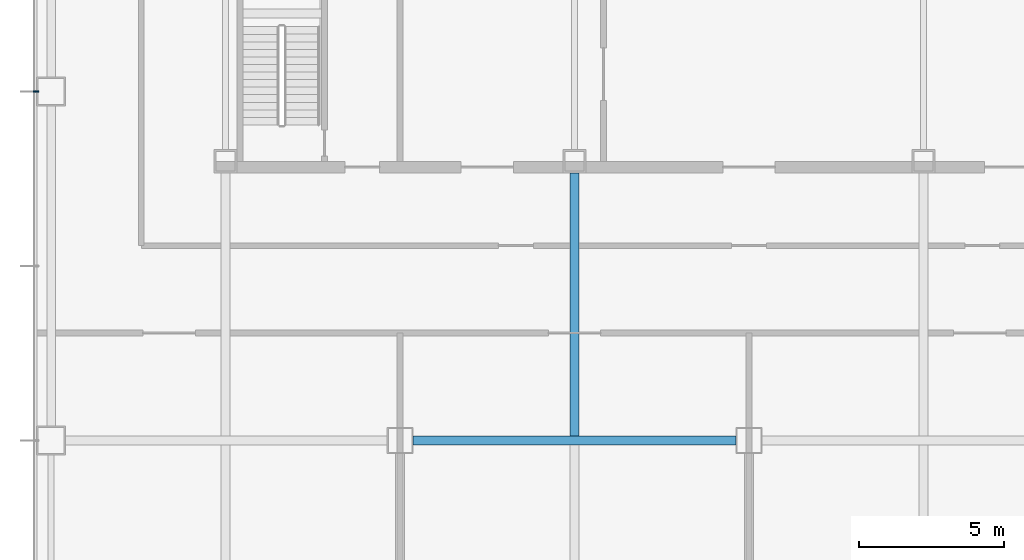
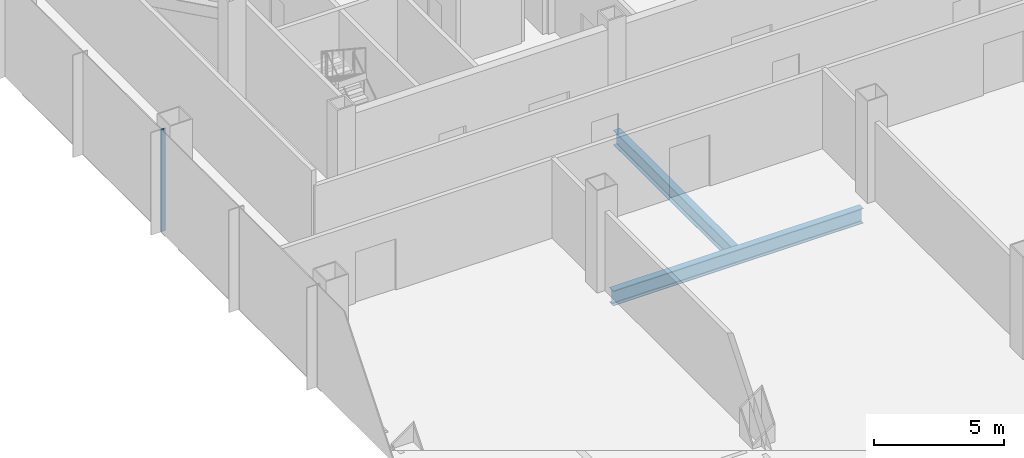
# One storey, part 6 of 33: 2 beams, 1 member, 1 element without a shape of its own.
"""IFC4 building model written with IfcOpenShell, lengths in metres."""

import ifcopenshell
import ifcopenshell.guid

model = None  # the IFC model being written
_history = None  # IfcOwnerHistory: only IFC2X3 demands one
_inside = {}  # id of a spatial element -> (the spatial element, [elements in it])
_under = {}  # id of a project, library or spatial element -> (it, [spatial elements below it])
_declared = {}  # id of a project -> (the project, [libraries it declares])
_typed = {}  # id of a type object -> (the type object, [elements of that type])
_made_of = {}  # id of a material, layer set ... -> (it, [elements and type objects made of it])


def new_model(schema):
    """Start an empty IFC model of exactly this schema.

    Asked for "IFC4X3", IfcOpenShell would pick the latest addendum, in which some entities
    have other attributes; the version numbers below select the first issue.
    IFC2X3 requires an IfcOwnerHistory on every rooted entity: one is made here for all.
    """
    global model, _history
    if schema == "IFC4X3":
        model = ifcopenshell.file(schema_version=(4, 3, 0, 0))
    else:
        model = ifcopenshell.file(schema=schema)
    _inside.clear()
    _under.clear()
    _declared.clear()
    _typed.clear()
    _made_of.clear()
    _history = None
    if model.schema == "IFC2X3":
        org = make("IfcOrganization", Name="unknown")
        user = make(
            "IfcPersonAndOrganization",
            ThePerson=make("IfcPerson", FamilyName="unknown"),
            TheOrganization=org,
        )
        app = make(
            "IfcApplication",
            ApplicationDeveloper=org,
            Version="unknown",
            ApplicationFullName="unknown",
            ApplicationIdentifier="unknown",
        )
        _history = make(
            "IfcOwnerHistory",
            OwningUser=user,
            OwningApplication=app,
            ChangeAction="ADDED",
            CreationDate=0,
        )
    return model


def make(cls, **values):
    """One entity of the class cls with the attributes given. An attribute that is None is left unset."""
    return model.create_entity(
        cls, **{name: value for name, value in values.items() if value is not None}
    )


def rooted(cls, **values):
    """An entity with a GlobalId (a new one), such as an element, a storey or a relation."""
    return make(cls, GlobalId=ifcopenshell.guid.new(), OwnerHistory=_history, **values)


def si_unit(unit_type, name, prefix=None):
    """IfcSIUnit, for example si_unit("LENGTHUNIT", "METRE", prefix="MILLI")."""
    return make("IfcSIUnit", UnitType=unit_type, Prefix=prefix, Name=name)


def assignment(units):
    """IfcUnitAssignment: the units of a project."""
    return None if units is None else make("IfcUnitAssignment", Units=units)


def point(xyz):
    """IfcCartesianPoint."""
    return None if xyz is None else make("IfcCartesianPoint", Coordinates=xyz)


def direction(xyz):
    """IfcDirection."""
    return None if xyz is None else make("IfcDirection", DirectionRatios=xyz)


def frame(location, z_axis=None, x_axis=None):
    """IfcAxis2Placement3D, a coordinate frame: its origin and axes. An axis left out is left unset."""
    return make(
        "IfcAxis2Placement3D",
        Location=point(location),
        Axis=direction(z_axis),
        RefDirection=direction(x_axis),
    )


def frame_2d(location, x_axis=None):
    """IfcAxis2Placement2D, a coordinate frame in the plane: its origin and x axis."""
    return make(
        "IfcAxis2Placement2D", Location=point(location), RefDirection=direction(x_axis)
    )


def origin():
    """The frame at (0, 0, 0) with its axes left unset."""
    return frame((0.0, 0.0, 0.0))


def origin_2d():
    """The frame at (0, 0) in the plane with its x axis left unset."""
    return frame_2d((0.0, 0.0))


def place(relative_to, where):
    """IfcLocalPlacement: puts the frame where relative to a parent placement (None: the world)."""
    return make(
        "IfcLocalPlacement", PlacementRelTo=relative_to, RelativePlacement=where
    )


def context(
    kind, dimensions, precision=None, world=None, true_north=None, identifier=None
):
    """IfcGeometricRepresentationContext, for example the 3D "Model" context."""
    return make(
        "IfcGeometricRepresentationContext",
        ContextIdentifier=identifier,
        ContextType=kind,
        CoordinateSpaceDimension=dimensions,
        Precision=precision,
        WorldCoordinateSystem=world,
        TrueNorth=true_north,
    )


def subcontext(parent, identifier, kind, view, scale=None):
    """IfcGeometricRepresentationSubContext, for example "Body" below "Model"."""
    return make(
        "IfcGeometricRepresentationSubContext",
        ContextIdentifier=identifier,
        ContextType=kind,
        ParentContext=parent,
        TargetScale=scale,
        TargetView=view,
    )


def project(units=None, contexts=None):
    """IfcProject with its units and contexts."""
    return rooted(
        "IfcProject",
        Name="project",
        RepresentationContexts=contexts,
        UnitsInContext=assignment(units),
    )


def spatial(cls, under=None, at=None, **own):
    """A site, building, storey or space (cls), placed at a placement, below another one or the project."""
    s = rooted(cls, ObjectPlacement=at, **own)
    if under is not None:
        _under.setdefault(under.id(), (under, []))[1].append(s)
    return s


def profile(cls, at=None, kind="AREA", **sizes):
    """A parametric profile (cls). Its sizes go by their IFC names, for example OverallWidth=200.0."""
    return make(cls, ProfileType=kind, Position=at, **sizes)


def rectangle(**sizes):
    """IfcRectangleProfileDef."""
    return profile("IfcRectangleProfileDef", **sizes)


def i_section(**sizes):
    """IfcIShapeProfileDef."""
    return profile("IfcIShapeProfileDef", **sizes)


def extrude(swept, where, along, depth):
    """IfcExtrudedAreaSolid: the profile swept, set in the frame where, extruded along a direction by depth."""
    return make(
        "IfcExtrudedAreaSolid",
        SweptArea=swept,
        Position=where,
        ExtrudedDirection=direction(along),
        Depth=depth,
    )


def shape(context_of_items, identifier, shape_type, items):
    """IfcShapeRepresentation: the items that make up one representation, for example the "Body"."""
    return make(
        "IfcShapeRepresentation",
        ContextOfItems=context_of_items,
        RepresentationIdentifier=identifier,
        RepresentationType=shape_type,
        Items=items,
    )


def material(Name=None, Category=None):
    """IfcMaterial."""
    return make("IfcMaterial", Name=Name, Category=Category)


def material_profile(
    of_material, cross_section, Name=None, Category=None, Priority=None
):
    """IfcMaterialProfile: a cross section and its material."""
    return make(
        "IfcMaterialProfile",
        Name=Name,
        Material=of_material,
        Profile=cross_section,
        Priority=Priority,
        Category=Category,
    )


def profile_set(profiles, Name=None, composite=None):
    """IfcMaterialProfileSet."""
    return make(
        "IfcMaterialProfileSet",
        Name=Name,
        MaterialProfiles=profiles,
        CompositeProfile=composite,
    )


def made_of(thing, what):
    """Note that an element or type object is made of a material, layer set ...; save() writes the relation."""
    if what is not None:
        _made_of.setdefault(what.id(), (what, []))[1].append(thing)
    return thing


def type_object(cls, material=None, **own):
    """A type object (cls), such as IfcWallType, which elements share."""
    return made_of(rooted(cls, **own), material)


def element(
    cls,
    number,
    at=None,
    inside=None,
    cuts=None,
    type_object=None,
    material=None,
    context=None,
    identifier="Body",
    shape_type=None,
    held_by="IfcProductDefinitionShape",
    body=None,
    shapes=None,
    **own,
):
    """One element of the class cls, such as IfcWall. Its Tag is "e" and its number.

    at: its placement. inside: the storey or other place that contains it. cuts: it is an
    opening in that element (IfcRelVoidsElement). A single representation is given by context,
    identifier, shape_type and body (its items); several are given by shapes. held_by: the class
    of the entity that holds the representations. save() writes the other relations.
    """
    e = rooted(cls, Tag="e%d" % number, ObjectPlacement=at, **own)
    if body is not None:
        shapes = [shape(context, identifier, shape_type, body)]
    if shapes is not None:
        e.Representation = make(held_by, Representations=shapes)
    if inside is not None:
        _inside.setdefault(inside.id(), (inside, []))[1].append(e)
    if cuts is not None:
        rooted(
            "IfcRelVoidsElement", RelatingBuildingElement=cuts, RelatedOpeningElement=e
        )
    if type_object is not None:
        _typed.setdefault(type_object.id(), (type_object, []))[1].append(e)
    return made_of(e, material)


def aggregate(whole, parts):
    """IfcRelAggregates: a whole, such as a stair, and the parts it consists of."""
    return rooted("IfcRelAggregates", RelatingObject=whole, RelatedObjects=parts)


def save(model, path):
    """Write the relations noted so far, then the file.

    IfcRelAggregates (storeys below a building ...), IfcRelContainedInSpatialStructure (elements
    in a storey), IfcRelDefinesByType, IfcRelAssociatesMaterial and IfcRelDeclares: one each for
    every whole, place, type object, material and project.
    """
    for whole, parts in _under.values():
        aggregate(whole, parts)
    for where, things in _inside.values():
        rooted(
            "IfcRelContainedInSpatialStructure",
            RelatedElements=things,
            RelatingStructure=where,
        )
    for kind, things in _typed.values():
        rooted("IfcRelDefinesByType", RelatedObjects=things, RelatingType=kind)
    for what, things in _made_of.values():
        rooted("IfcRelAssociatesMaterial", RelatedObjects=things, RelatingMaterial=what)
    for by, libraries in _declared.values():
        rooted("IfcRelDeclares", RelatingContext=by, RelatedDefinitions=libraries)
    model.write(path)


model = new_model("IFC4")

# Units and contexts
model_context = context("Model", 3, precision=1e-05, world=origin(), true_north=direction((0.0, 1.0)))
body_context = subcontext(model_context, "Body", "Model", "MODEL_VIEW")
ifc_project = project(units=[si_unit("LENGTHUNIT", "METRE"), si_unit("AREAUNIT", "SQUARE_METRE"), si_unit("VOLUMEUNIT", "CUBIC_METRE"), si_unit("PLANEANGLEUNIT", "RADIAN"), si_unit("MASSUNIT", "GRAM", prefix="KILO")], contexts=[model_context])

# Site, building, storey
site_placement = place(None, origin())
site = spatial("IfcSite", under=ifc_project, at=site_placement, CompositionType="ELEMENT")
building_placement = place(site_placement, origin())
building = spatial("IfcBuilding", under=site, at=building_placement, Name="Sorahane Residences", CompositionType="ELEMENT")
storey_placement = place(building_placement, frame((0.0, 0.0, 25.199951171875)))
storey = spatial("IfcBuildingStorey", under=building, at=storey_placement, Name="L03", CompositionType="ELEMENT", Elevation=25.199951171875)

# Curtain wall, member
ifc_material_1 = material(Name="Dark low-e glass and black anodised aluminium", Category="aluminium")
curtain_wall_type = type_object("IfcCurtainWallType", Name="Curtain wall CW-3 Podium unitised wall", PredefinedType="NOTDEFINED", material=ifc_material_1)
curtain_wall_placement = place(storey_placement, origin())
curtain_wall = element("IfcCurtainWall", 1, at=curtain_wall_placement, inside=storey, type_object=curtain_wall_type, Name="CW-3 curtain wall L03 W1", PredefinedType="NOTDEFINED")
ifc_material_2 = material(Name="Black anodised aluminium", Category="aluminium")
ifc_material_profile_1 = material_profile(ifc_material_2, rectangle(XDim=0.199951171875, YDim=0.050048828125, at=origin_2d()), Name="Curtain wall mullion CW-3 black anodised aluminium 50x200")
ifc_profile_set_1 = profile_set([ifc_material_profile_1], Name="Black anodised aluminium")
member_type = type_object("IfcMemberType", Name="Curtain wall mullion CW-3 black anodised aluminium 50x200", PredefinedType="MULLION", material=ifc_profile_set_1)
member_placement = place(storey_placement, frame((-0.52001953125, 24.0, -0.39990234375), z_axis=(0.0, 0.0, 1.0), x_axis=(-1.0, 0.0, 0.0)))
member = element("IfcMember", 2, at=member_placement, type_object=member_type, Name="CW-3 mullion L03 W1.5", PredefinedType="MULLION", context=body_context, shape_type="SweptSolid", body=[
    extrude(rectangle(XDim=0.199951171875, YDim=0.050048828125, at=origin_2d()), origin(), (0.0, 0.0, 1.0), 4.800048828125),
])
aggregate(curtain_wall, [member])

# Beams
ifc_material_3 = material(Name="Steel Q355B", Category="steel")
ifc_material_profile_2 = material_profile(ifc_material_3, i_section(OverallWidth=0.300048828125, OverallDepth=0.699951171875, WebThickness=0.012939453125, FlangeThickness=0.02392578125, FilletRadius=0.028076171875, at=origin_2d()), Name="HN 700x300x13x24")
ifc_profile_set_2 = profile_set([ifc_material_profile_2], Name="Steel Q355B")
beam_type = type_object("IfcBeamType", Name="Steel floor beam HN 700x300x13x24 Q355B", PredefinedType="BEAM", material=ifc_profile_set_2)
beam_1_placement = place(storey_placement, frame((12.449951171875, 12.0, -0.75), z_axis=(1.0, 0.0, 0.0), x_axis=(0.0, 1.0, 0.0)))
element("IfcBeam", 3, at=beam_1_placement, inside=storey, type_object=beam_type, Name="Beam L03 009", PredefinedType="BEAM", context=body_context, shape_type="SweptSolid", body=[
    extrude(i_section(OverallWidth=0.300048828125, OverallDepth=0.699951171875, WebThickness=0.012939453125, FlangeThickness=0.02392578125, FilletRadius=0.028076171875, at=origin_2d()), origin(), (0.0, 0.0, 1.0), 11.10009765625),
])
beam_2_placement = place(storey_placement, frame((18.0, 12.14990234375, -0.75), z_axis=(0.0, 1.0, 0.0), x_axis=(-1.0, 0.0, 0.0)))
element("IfcBeam", 4, at=beam_2_placement, inside=storey, type_object=beam_type, Name="Beam L03 039", PredefinedType="BEAM", context=body_context, shape_type="SweptSolid", body=[
    extrude(i_section(OverallWidth=0.300048828125, OverallDepth=0.699951171875, WebThickness=0.012939453125, FlangeThickness=0.02392578125, FilletRadius=0.028076171875, at=origin_2d()), origin(), (0.0, 0.0, 1.0), 9.050048828125),
])

save(model, "model.ifc")
